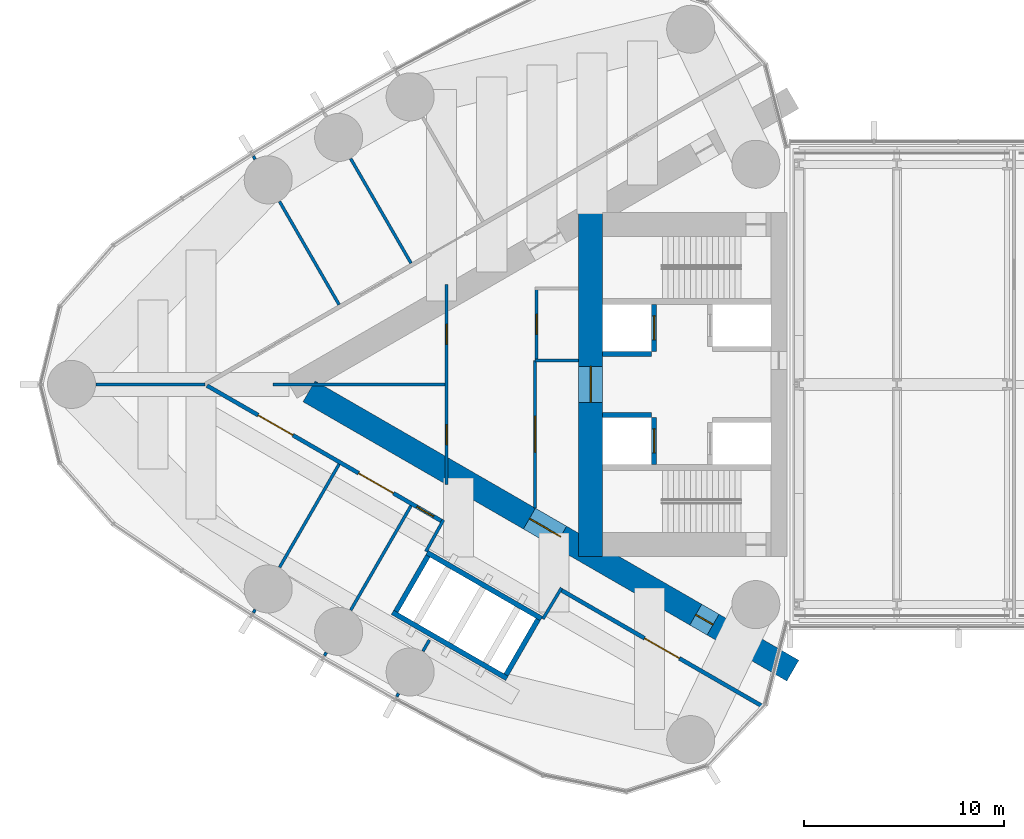
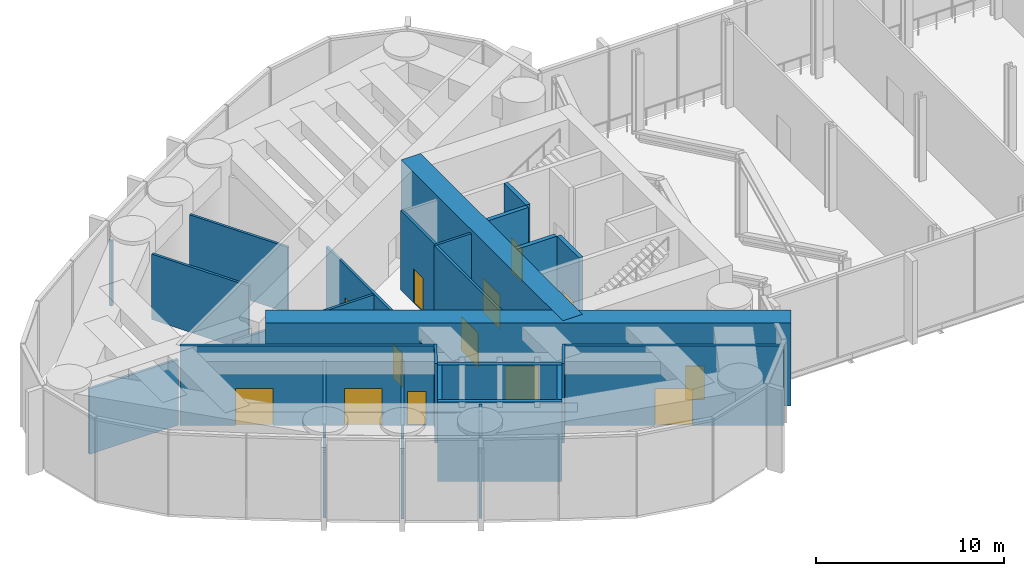
# One storey, part 15 of 21: 29 walls, 13 doors, 13 openings.
"""IFC4 building model written with IfcOpenShell, lengths in metres."""

from ifc_helpers import new_model, si_unit, direction, frame, frame_2d, origin, place, context, subcontext, project, spatial, rectangle, extrude, material, layer, layer_set, type_object, element, fill, save


model = new_model("IFC4")

# Units and contexts
model_context = context("Model", 3, precision=1e-05, world=origin(), true_north=direction((0.0, 1.0)))
body_context = subcontext(model_context, "Body", "Model", "MODEL_VIEW")
ifc_project = project(units=[si_unit("LENGTHUNIT", "METRE"), si_unit("AREAUNIT", "SQUARE_METRE"), si_unit("VOLUMEUNIT", "CUBIC_METRE"), si_unit("PLANEANGLEUNIT", "RADIAN"), si_unit("MASSUNIT", "GRAM", prefix="KILO")], contexts=[model_context])

# Site, building, storey
site_placement = place(None, origin())
site = spatial("IfcSite", under=ifc_project, at=site_placement, CompositionType="ELEMENT")
building_placement = place(site_placement, origin())
building = spatial("IfcBuilding", under=site, at=building_placement, Name="Lancet Gate Hotel", CompositionType="ELEMENT")
storey_placement = place(building_placement, frame((0.0, 0.0, 251.89990234375)))
storey = spatial("IfcBuildingStorey", under=building, at=storey_placement, Name="L67", CompositionType="ELEMENT", Elevation=251.89990234375)

# Wall, openings, doors
ifc_material_1 = material(Name="Concrete C70/85", Category="concrete")
ifc_layer_1 = layer(ifc_material_1, 1.199951171875)
ifc_layer_set_1 = layer_set([ifc_layer_1], Name="Buttress wall 1200")
wall_type_1 = type_object("IfcWallType", Name="Buttress wall 1200", PredefinedType="SHEAR", material=ifc_layer_set_1)
wall_1_placement = place(storey_placement, frame((-27.199951171875, -14.300048828125, 0.0), z_axis=(0.0, 0.0, 1.0), x_axis=(-0.866024021859, 0.500002393557, 0.0)))
wall_1 = element("IfcWall", 1, at=wall_1_placement, inside=storey, type_object=wall_type_1, Name="T1 buttress wall N L67", PredefinedType="SHEAR", context=body_context, shape_type="SweptSolid", body=[
    extrude(rectangle(XDim=27.906982421875, YDim=1.199951171875, at=frame_2d((13.95361328125, 0.0))), origin(), (0.0, 0.0, 1.0), 5.400146484375),
])
opening_1_placement = place(wall_1_placement, frame((4.60009765625, 0.0, 0.0)))
opening_1 = element("IfcOpeningElement", 2, at=opening_1_placement, cuts=wall_1, Name="Opening T1-L67-LN", PredefinedType="OPENING", context=body_context, shape_type="SweptSolid", body=[
    extrude(rectangle(XDim=1.0, YDim=2.199951171875, at=frame_2d((0.5, 1.10009765625))), frame((0.0, 0.60986328125, 0.0), z_axis=(0.0, -1.0, 0.0), x_axis=(1.0, 0.0, 0.0)), (0.0, 0.0, 1.0), 1.219970703125),
])
opening_2_placement = place(wall_1_placement, frame((13.39453125, 0.0, 0.0)))
opening_2 = element("IfcOpeningElement", 3, at=opening_2_placement, cuts=wall_1, Name="Opening T1-L67-LHN", PredefinedType="OPENING", context=body_context, shape_type="SweptSolid", body=[
    extrude(rectangle(XDim=1.800048828125, YDim=2.199951171875, at=frame_2d((0.89990234375, 1.10009765625))), frame((0.0, 0.60986328125, 0.0), z_axis=(0.0, -1.0, 0.0), x_axis=(1.0, 0.0, 0.0)), (0.0, 0.0, 1.0), 1.219970703125),
])
ifc_material_2 = material(Name="Timber door set", Category="wood")
door_type_1 = type_object("IfcDoorType", Name="Lobby double door 1800", OperationType="DOUBLE_DOOR_SINGLE_SWING", PredefinedType="DOOR", material=ifc_material_2)
door_1_placement = place(opening_2_placement, origin())
door_1 = element("IfcDoor", 4, at=door_1_placement, inside=storey, type_object=door_type_1, Name="T1-L67-LHN", OperationType="DOUBLE_DOOR_SINGLE_SWING", OverallHeight=2.199951171875, OverallWidth=1.800048828125, PredefinedType="DOOR", context=body_context, shape_type="SweptSolid", body=[
    extrude(rectangle(XDim=1.800048828125, YDim=2.199951171875, at=frame_2d((0.89990234375, 1.10009765625))), frame((0.0, 0.02490234375, 0.0), z_axis=(0.0, -1.0, 0.0), x_axis=(1.0, 0.0, 0.0)), (0.0, 0.0, 1.0), 0.050048828125),
])
fill(opening_2, door_1)
ifc_material_3 = material(Name="Timber door set", Category="wood")
door_type_2 = type_object("IfcDoorType", Name="Stair lobby door 1000", OperationType="SINGLE_SWING_LEFT", PredefinedType="DOOR", material=ifc_material_3)
door_2_placement = place(opening_1_placement, origin())
door_2 = element("IfcDoor", 5, at=door_2_placement, inside=storey, type_object=door_type_2, Name="T1-L67-LN", OperationType="SINGLE_SWING_LEFT", OverallHeight=2.199951171875, OverallWidth=1.0, PredefinedType="DOOR", context=body_context, shape_type="SweptSolid", body=[
    extrude(rectangle(XDim=1.0, YDim=2.199951171875, at=frame_2d((0.5, 1.10009765625))), frame((0.0, 0.02490234375, 0.0), z_axis=(0.0, -1.0, 0.0), x_axis=(1.0, 0.0, 0.0)), (0.0, 0.0, 1.0), 0.050048828125),
])
fill(opening_1, door_2)

# Wall, opening, door
ifc_material_4 = material(Name="Concrete C70/85", Category="concrete")
ifc_layer_2 = layer(ifc_material_4, 1.199951171875)
ifc_layer_set_2 = layer_set([ifc_layer_2], Name="Core wall 1200")
wall_type_2 = type_object("IfcWallType", Name="Core wall 1200", PredefinedType="SHEAR", material=ifc_layer_set_2)
wall_2_placement = place(storey_placement, frame((-37.300048828125, 8.60009765625, 0.0), z_axis=(0.0, 0.0, 1.0), x_axis=(0.0, -1.0, 0.0)))
wall_2 = element("IfcWall", 6, at=wall_2_placement, inside=storey, type_object=wall_type_2, Name="T1 core wall back L67", PredefinedType="SHEAR", context=body_context, shape_type="SweptSolid", body=[
    extrude(rectangle(XDim=17.2001953125, YDim=1.199951171875, at=frame_2d((8.60009765625, 0.0))), origin(), (0.0, 0.0, 1.0), 5.400146484375),
])
opening_3_placement = place(wall_2_placement, frame((7.699951171875, 0.0, 0.0)))
opening_3 = element("IfcOpeningElement", 7, at=opening_3_placement, cuts=wall_2, Name="Opening T1-L67-LL", PredefinedType="OPENING", context=body_context, shape_type="SweptSolid", body=[
    extrude(rectangle(XDim=1.800048828125, YDim=2.199951171875, at=frame_2d((0.89990234375, 1.10009765625))), frame((0.0, 0.60986328125, 0.0), z_axis=(0.0, -1.0, 0.0), x_axis=(1.0, 0.0, 0.0)), (0.0, 0.0, 1.0), 1.219970703125),
])
door_3_placement = place(opening_3_placement, origin())
door_3 = element("IfcDoor", 8, at=door_3_placement, inside=storey, type_object=door_type_1, Name="T1-L67-LL", OperationType="DOUBLE_DOOR_SINGLE_SWING", OverallHeight=2.199951171875, OverallWidth=1.800048828125, PredefinedType="DOOR", context=body_context, shape_type="SweptSolid", body=[
    extrude(rectangle(XDim=1.800048828125, YDim=2.199951171875, at=frame_2d((0.89990234375, 1.10009765625))), frame((0.0, 0.02490234375, 0.0), z_axis=(0.0, -1.0, 0.0), x_axis=(1.0, 0.0, 0.0)), (0.0, 0.0, 1.0), 0.050048828125),
])
fill(opening_3, door_3)

ifc_material_5 = material(Name="Gypsum board partition")
ifc_layer_3 = layer(ifc_material_5, 0.199951171875)
ifc_layer_set_3 = layer_set([ifc_layer_3], Name="Corridor wall 200")
wall_type_3 = type_object("IfcWallType", Name="Corridor wall 200", PredefinedType="PARTITIONING", material=ifc_layer_set_3)
wall_3_placement = place(storey_placement, frame((-28.681396484375, -16.1005859375, 0.0), z_axis=(0.0, 0.0, 1.0), x_axis=(-0.866026079773, 0.499998829152, 0.0)))
wall_3 = element("IfcWall", 9, at=wall_3_placement, inside=storey, type_object=wall_type_3, Name="T1 corridor wall 200 L67", PredefinedType="PARTITIONING", context=body_context, shape_type="SweptSolid", body=[
    extrude(rectangle(XDim=11.673828125, YDim=0.199951171875, at=frame_2d((5.8369140625, 0.0))), origin(), (0.0, 0.0, 1.0), 5.150146484375),
])
opening_4_placement = place(wall_3_placement, frame((4.8369140625, 0.0, 0.0)))
opening_4 = element("IfcOpeningElement", 10, at=opening_4_placement, cuts=wall_3, Name="Opening T1-L67-DR08", PredefinedType="OPENING", context=body_context, shape_type="SweptSolid", body=[
    extrude(rectangle(XDim=2.0, YDim=2.39990234375, at=frame_2d((1.0, 1.199951171875))), frame((0.0, 0.10986328125, 0.0), z_axis=(0.0, -1.0, 0.0), x_axis=(1.0, 0.0, 0.0)), (0.0, 0.0, 1.0), 0.219970703125),
])
ifc_material_6 = material(Name="Timber door set", Category="wood")
door_type_3 = type_object("IfcDoorType", Name="Plant room double door 2000", OperationType="DOUBLE_DOOR_SINGLE_SWING", PredefinedType="DOOR", material=ifc_material_6)
door_4_placement = place(opening_4_placement, origin())
door_4 = element("IfcDoor", 11, at=door_4_placement, inside=storey, type_object=door_type_3, Name="T1-L67-DR08", OperationType="DOUBLE_DOOR_SINGLE_SWING", OverallHeight=2.39990234375, OverallWidth=2.0, PredefinedType="DOOR", context=body_context, shape_type="SweptSolid", body=[
    extrude(rectangle(XDim=2.0, YDim=2.39990234375, at=frame_2d((1.0, 1.199951171875))), frame((0.0, 0.02490234375, 0.0), z_axis=(0.0, -1.0, 0.0), x_axis=(1.0, 0.0, 0.0)), (0.0, 0.0, 1.0), 0.050048828125),
])
fill(opening_4, door_4)

# Wall, openings, doors
wall_4_placement = place(storey_placement, frame((-44.715087890625, -6.843505859375, 0.0), z_axis=(0.0, 0.0, 1.0), x_axis=(-0.866025261224, 0.500000246922, 0.0)))
wall_4 = element("IfcWall", 12, at=wall_4_placement, inside=storey, type_object=wall_type_3, Name="T1 corridor wall 200 L67", PredefinedType="PARTITIONING", context=body_context, shape_type="SweptSolid", body=[
    extrude(rectangle(XDim=13.56689453125, YDim=0.199951171875, at=frame_2d((6.783447265625, 0.0))), origin(), (0.0, 0.0, 1.0), 5.150146484375),
])
opening_5_placement = place(wall_4_placement, frame((8.6162109375, 0.0, 0.0)))
opening_5 = element("IfcOpeningElement", 13, at=opening_5_placement, cuts=wall_4, Name="Opening T1-L67-DR05", PredefinedType="OPENING", context=body_context, shape_type="SweptSolid", body=[
    extrude(rectangle(XDim=2.0, YDim=2.39990234375, at=frame_2d((1.0, 1.199951171875))), frame((0.0, 0.10986328125, 0.0), z_axis=(0.0, -1.0, 0.0), x_axis=(1.0, 0.0, 0.0)), (0.0, 0.0, 1.0), 0.219970703125),
])
opening_6_placement = place(wall_4_placement, frame((2.816162109375, 0.0, 0.0)))
opening_6 = element("IfcOpeningElement", 14, at=opening_6_placement, cuts=wall_4, Name="Opening T1-L67-DR06", PredefinedType="OPENING", context=body_context, shape_type="SweptSolid", body=[
    extrude(rectangle(XDim=2.0, YDim=2.39990234375, at=frame_2d((1.0, 1.199951171875))), frame((0.0, 0.10986328125, 0.0), z_axis=(0.0, -1.0, 0.0), x_axis=(1.0, 0.0, 0.0)), (0.0, 0.0, 1.0), 0.219970703125),
])
opening_7_placement = place(wall_4_placement, frame((0.5, 0.0, 0.0)))
opening_7 = element("IfcOpeningElement", 15, at=opening_7_placement, cuts=wall_4, Name="Opening T1-L67-DR07", PredefinedType="OPENING", context=body_context, shape_type="SweptSolid", body=[
    extrude(rectangle(XDim=0.967041015625, YDim=2.199951171875, at=frame_2d((0.4833984375, 1.10009765625))), frame((0.0, 0.10986328125, 0.0), z_axis=(0.0, -1.0, 0.0), x_axis=(1.0, 0.0, 0.0)), (0.0, 0.0, 1.0), 0.219970703125),
])
ifc_material_7 = material(Name="Timber door set", Category="wood")
door_type_4 = type_object("IfcDoorType", Name="Guest room entry door 950", OperationType="SINGLE_SWING_LEFT", PredefinedType="DOOR", material=ifc_material_7)
door_5_placement = place(opening_7_placement, origin())
door_5 = element("IfcDoor", 16, at=door_5_placement, inside=storey, type_object=door_type_4, Name="T1-L67-DR07", OperationType="SINGLE_SWING_LEFT", OverallHeight=2.199951171875, OverallWidth=0.967041015625, PredefinedType="DOOR", context=body_context, shape_type="SweptSolid", body=[
    extrude(rectangle(XDim=0.967041015625, YDim=2.199951171875, at=frame_2d((0.4833984375, 1.10009765625))), frame((0.0, 0.02490234375, 0.0), z_axis=(0.0, -1.0, 0.0), x_axis=(1.0, 0.0, 0.0)), (0.0, 0.0, 1.0), 0.050048828125),
])
fill(opening_7, door_5)
door_6_placement = place(opening_5_placement, origin())
door_6 = element("IfcDoor", 17, at=door_6_placement, inside=storey, type_object=door_type_3, Name="T1-L67-DR05", OperationType="DOUBLE_DOOR_SINGLE_SWING", OverallHeight=2.39990234375, OverallWidth=2.0, PredefinedType="DOOR", context=body_context, shape_type="SweptSolid", body=[
    extrude(rectangle(XDim=2.0, YDim=2.39990234375, at=frame_2d((1.0, 1.199951171875))), frame((0.0, 0.02490234375, 0.0), z_axis=(0.0, -1.0, 0.0), x_axis=(1.0, 0.0, 0.0)), (0.0, 0.0, 1.0), 0.050048828125),
])
fill(opening_5, door_6)
door_7_placement = place(opening_6_placement, origin())
door_7 = element("IfcDoor", 18, at=door_7_placement, inside=storey, type_object=door_type_3, Name="T1-L67-DR06", OperationType="DOUBLE_DOOR_SINGLE_SWING", OverallHeight=2.39990234375, OverallWidth=2.0, PredefinedType="DOOR", context=body_context, shape_type="SweptSolid", body=[
    extrude(rectangle(XDim=2.0, YDim=2.39990234375, at=frame_2d((1.0, 1.199951171875))), frame((0.0, 0.02490234375, 0.0), z_axis=(0.0, -1.0, 0.0), x_axis=(1.0, 0.0, 0.0)), (0.0, 0.0, 1.0), 0.050048828125),
])
fill(opening_6, door_7)

# Walls
ifc_material_8 = material(Name="Gypsum board partition")
ifc_layer_4 = layer(ifc_material_8, 0.25)
ifc_layer_set_4 = layer_set([ifc_layer_4], Name="Lift shaft partition 250")
wall_type_4 = type_object("IfcWallType", Name="Lift shaft partition 250", PredefinedType="PARTITIONING", material=ifc_layer_set_4)
wall_5_placement = place(storey_placement, frame((-39.757568359375, -11.697265625, 0.0), z_axis=(0.0, 0.0, 1.0), x_axis=(-0.866024194504, 0.500002094529, 0.0)))
element("IfcWall", 19, at=wall_5_placement, inside=storey, type_object=wall_type_4, Name="T1 lift shaft wall HL L67", PredefinedType="PARTITIONING", context=body_context, shape_type="SweptSolid", body=[
    extrude(rectangle(XDim=6.60009765625, YDim=0.25, at=frame_2d((3.300048828125, 0.0))), origin(), (0.0, 0.0, 1.0), 5.150146484375),
])
wall_6_placement = place(storey_placement, frame((-41.482421875, -14.685791015625, 0.0), z_axis=(0.0, 0.0, 1.0), x_axis=(-0.86603344179, 0.499986077507, 0.0)))
element("IfcWall", 20, at=wall_6_placement, inside=storey, type_object=wall_type_4, Name="T1 lift shaft wall HL L67", PredefinedType="PARTITIONING", context=body_context, shape_type="SweptSolid", body=[
    extrude(rectangle(XDim=6.600341796875, YDim=0.25, at=frame_2d((3.30029296875, 0.0))), origin(), (0.0, 0.0, 1.0), 5.150146484375),
])
for number, where, z_axis, x_axis, name in (
    (21, (-39.92822265625, -11.742919921875, 0.0), (0.0, 0.0, 1.0), (-0.499929347863, -0.866066190972, 0.0), "T1 lift shaft wall HL L67"),
    (22, (-45.427734375, -8.568115234375, 0.0), (0.0, 0.0, 1.0), (-0.499929347863, -0.866066190972, 0.0), "T1 lift shaft wall HL L67"),
):
    element("IfcWall", number, at=place(storey_placement, frame(where, z_axis=z_axis, x_axis=x_axis)), inside=storey, type_object=wall_type_4, Name=name, PredefinedType="PARTITIONING", context=body_context, shape_type="SweptSolid", body=[
        extrude(rectangle(XDim=3.20068359375, YDim=0.25, at=frame_2d((1.600341796875, 0.0))), origin(), (0.0, 0.0, 1.0), 5.150146484375),
    ])

# Wall, opening, door
ifc_material_9 = material(Name="Concrete C50/60", Category="concrete")
ifc_layer_5 = layer(ifc_material_9, 0.25)
ifc_layer_set_5 = layer_set([ifc_layer_5], Name="Lift shaft wall 250")
wall_type_5 = type_object("IfcWallType", Name="Lift shaft wall 250", PredefinedType="SHEAR", material=ifc_layer_set_5)
wall_7_placement = place(storey_placement, frame((-34.125, 4.0, 0.0), z_axis=(0.0, 0.0, 1.0), x_axis=(0.0, -1.0, 0.0)))
wall_7 = element("IfcWall", 23, at=wall_7_placement, inside=storey, type_object=wall_type_5, Name="T1 core wall row2-S L67", PredefinedType="SHEAR", context=body_context, shape_type="SweptSolid", body=[
    extrude(rectangle(XDim=2.35009765625, YDim=0.25, at=frame_2d((1.175048828125, 0.0))), origin(), (0.0, 0.0, 1.0), 5.400146484375),
])
opening_8_placement = place(wall_7_placement, frame((0.574951171875, 0.0, 0.0)))
opening_8 = element("IfcOpeningElement", 24, at=opening_8_placement, cuts=wall_7, Name="Opening T1-OL3-L67", PredefinedType="OPENING", context=body_context, shape_type="SweptSolid", body=[
    extrude(rectangle(XDim=1.199951171875, YDim=2.199951171875, at=frame_2d((0.60009765625, 1.10009765625))), frame((0.0, 0.135009765625, 0.0), z_axis=(0.0, -1.0, 0.0), x_axis=(1.0, 0.0, 0.0)), (0.0, 0.0, 1.0), 0.27001953125),
])
ifc_material_10 = material(Name="Timber door set", Category="wood")
door_type_5 = type_object("IfcDoorType", Name="Shuttle lift landing door 1200", OperationType="DOUBLE_DOOR_SLIDING", PredefinedType="USERDEFINED", material=ifc_material_10)
door_8_placement = place(opening_8_placement, origin())
door_8 = element("IfcDoor", 25, at=door_8_placement, inside=storey, type_object=door_type_5, Name="T1-OL3-L67", ObjectType="LIFT LANDING DOOR", OperationType="DOUBLE_DOOR_SLIDING", OverallHeight=2.199951171875, OverallWidth=1.199951171875, PredefinedType="USERDEFINED", context=body_context, shape_type="SweptSolid", body=[
    extrude(rectangle(XDim=1.199951171875, YDim=2.199951171875, at=frame_2d((0.60009765625, 1.10009765625))), frame((0.0, 0.02490234375, 0.0), z_axis=(0.0, -1.0, 0.0), x_axis=(1.0, 0.0, 0.0)), (0.0, 0.0, 1.0), 0.050048828125),
])
fill(opening_8, door_8)

# Wall
wall_8_placement = place(storey_placement, frame((-34.25, 1.52490234375, 0.0), z_axis=(0.0, 0.0, 1.0), x_axis=(-1.0, 0.0, 0.0)))
element("IfcWall", 26, at=wall_8_placement, inside=storey, type_object=wall_type_5, Name="T1 core wall pass2-S L67", PredefinedType="SHEAR", context=body_context, shape_type="SweptSolid", body=[
    extrude(rectangle(XDim=2.449951171875, YDim=0.25, at=frame_2d((1.22509765625, 0.0))), origin(), (0.0, 0.0, 1.0), 5.400146484375),
])

# Wall, opening, door
wall_9_placement = place(storey_placement, frame((-34.125, -1.64990234375, 0.0), z_axis=(0.0, 0.0, 1.0), x_axis=(0.0, -1.0, 0.0)))
wall_9 = element("IfcWall", 27, at=wall_9_placement, inside=storey, type_object=wall_type_5, Name="T1 core wall row2-N L67", PredefinedType="SHEAR", context=body_context, shape_type="SweptSolid", body=[
    extrude(rectangle(XDim=2.35009765625, YDim=0.25, at=frame_2d((1.175048828125, 0.0))), origin(), (0.0, 0.0, 1.0), 5.400146484375),
])
opening_9_placement = place(wall_9_placement, frame((0.574951171875, 0.0, 0.0)))
opening_9 = element("IfcOpeningElement", 28, at=opening_9_placement, cuts=wall_9, Name="Opening T1-OL4-L67", PredefinedType="OPENING", context=body_context, shape_type="SweptSolid", body=[
    extrude(rectangle(XDim=1.199951171875, YDim=2.199951171875, at=frame_2d((0.60009765625, 1.10009765625))), frame((0.0, 0.135009765625, 0.0), z_axis=(0.0, -1.0, 0.0), x_axis=(1.0, 0.0, 0.0)), (0.0, 0.0, 1.0), 0.27001953125),
])
door_9_placement = place(opening_9_placement, origin())
door_9 = element("IfcDoor", 29, at=door_9_placement, inside=storey, type_object=door_type_5, Name="T1-OL4-L67", ObjectType="LIFT LANDING DOOR", OperationType="DOUBLE_DOOR_SLIDING", OverallHeight=2.199951171875, OverallWidth=1.199951171875, PredefinedType="USERDEFINED", context=body_context, shape_type="SweptSolid", body=[
    extrude(rectangle(XDim=1.199951171875, YDim=2.199951171875, at=frame_2d((0.60009765625, 1.10009765625))), frame((0.0, 0.02490234375, 0.0), z_axis=(0.0, -1.0, 0.0), x_axis=(1.0, 0.0, 0.0)), (0.0, 0.0, 1.0), 0.050048828125),
])
fill(opening_9, door_9)

# Walls
wall_10_placement = place(storey_placement, frame((-34.25, -1.52490234375, 0.0), z_axis=(0.0, 0.0, 1.0), x_axis=(-1.0, 0.0, 0.0)))
element("IfcWall", 30, at=wall_10_placement, inside=storey, type_object=wall_type_5, Name="T1 core wall pass2-N L67", PredefinedType="SHEAR", context=body_context, shape_type="SweptSolid", body=[
    extrude(rectangle(XDim=2.449951171875, YDim=0.25, at=frame_2d((1.22509765625, 0.0))), origin(), (0.0, 0.0, 1.0), 5.400146484375),
])
ifc_material_11 = material(Name="Gypsum board partition")
ifc_layer_6 = layer(ifc_material_11, 0.14990234375)
ifc_layer_set_6 = layer_set([ifc_layer_6], Name="Party wall 150")
wall_type_6 = type_object("IfcWallType", Name="Party wall 150", PredefinedType="PARTITIONING", material=ifc_layer_set_6)
wall_11_placement = place(storey_placement, frame((-46.273681640625, 6.05908203125, 0.0), z_axis=(0.0, 0.0, 1.0), x_axis=(-0.500020471368, 0.866013584312, 0.0)))
element("IfcWall", 31, at=wall_11_placement, inside=storey, type_object=wall_type_6, Name="T1 party wall 150 L67", PredefinedType="PARTITIONING", context=body_context, shape_type="SweptSolid", body=[
    extrude(rectangle(XDim=6.027587890625, YDim=0.14990234375, at=frame_2d((3.013671875, 0.0))), origin(), (0.0, 0.0, 1.0), 4.25),
])
wall_12_placement = place(storey_placement, frame((-49.866455078125, 3.98486328125, 0.0), z_axis=(0.0, 0.0, 1.0), x_axis=(-0.500000694566, 0.866025002776, 0.0)))
element("IfcWall", 32, at=wall_12_placement, inside=storey, type_object=wall_type_6, Name="T1 party wall 150 L67", PredefinedType="PARTITIONING", context=body_context, shape_type="SweptSolid", body=[
    extrude(rectangle(XDim=5.94970703125, YDim=0.14990234375, at=frame_2d((2.974853515625, 0.0))), origin(), (0.0, 0.0, 1.0), 4.25),
])
wall_13_placement = place(storey_placement, frame((-54.061279296875, 11.25048828125, 0.0), z_axis=(0.0, 0.0, 1.0), x_axis=(-0.500391173478, 0.865799441849, 0.0)))
element("IfcWall", 33, at=wall_13_placement, inside=storey, type_object=wall_type_6, Name="T1 party wall 150 L67", PredefinedType="PARTITIONING", context=body_context, shape_type="SweptSolid", body=[
    extrude(rectangle(XDim=0.178955078125, YDim=0.14990234375, at=frame_2d((0.08935546875, 0.0))), origin(), (0.0, 0.0, 1.0), 4.25),
])
wall_14_placement = place(storey_placement, frame((-46.89794921875, -15.438720703125, 0.0), z_axis=(0.0, 0.0, 1.0), x_axis=(-0.500232303069, -0.865891241997, 0.0)))
element("IfcWall", 34, at=wall_14_placement, inside=storey, type_object=wall_type_6, Name="T1 party wall 150 L67", PredefinedType="PARTITIONING", context=body_context, shape_type="SweptSolid", body=[
    extrude(rectangle(XDim=0.1796875, YDim=0.14990234375, at=frame_2d((0.08984375, 0.0))), origin(), (0.0, 0.0, 1.0), 4.25),
])
wall_15_placement = place(storey_placement, frame((-46.273681640625, -6.05908203125, 0.0), z_axis=(0.0, 0.0, 1.0), x_axis=(-0.500020471368, -0.866013584312, 0.0)))
element("IfcWall", 35, at=wall_15_placement, inside=storey, type_object=wall_type_6, Name="T1 party wall 150 L67", PredefinedType="PARTITIONING", context=body_context, shape_type="SweptSolid", body=[
    extrude(rectangle(XDim=6.027587890625, YDim=0.14990234375, at=frame_2d((3.013671875, 0.0))), origin(), (0.0, 0.0, 1.0), 4.25),
])
wall_16_placement = place(storey_placement, frame((-50.507568359375, -13.392333984375, 0.0), z_axis=(0.0, 0.0, 1.0), x_axis=(-0.499644091975, -0.866230789891, 0.0)))
element("IfcWall", 36, at=wall_16_placement, inside=storey, type_object=wall_type_6, Name="T1 party wall 150 L67", PredefinedType="PARTITIONING", context=body_context, shape_type="SweptSolid", body=[
    extrude(rectangle(XDim=0.179931640625, YDim=0.14990234375, at=frame_2d((0.08984375, 0.0))), origin(), (0.0, 0.0, 1.0), 4.25),
])
wall_17_placement = place(storey_placement, frame((-49.866455078125, -3.98486328125, 0.0), z_axis=(0.0, 0.0, 1.0), x_axis=(-0.500000694566, -0.866025002776, 0.0)))
element("IfcWall", 37, at=wall_17_placement, inside=storey, type_object=wall_type_6, Name="T1 party wall 150 L67", PredefinedType="PARTITIONING", context=body_context, shape_type="SweptSolid", body=[
    extrude(rectangle(XDim=5.94970703125, YDim=0.14990234375, at=frame_2d((2.974853515625, 0.0))), origin(), (0.0, 0.0, 1.0), 4.25),
])
wall_18_placement = place(storey_placement, frame((-54.061279296875, -11.25048828125, 0.0), z_axis=(0.0, 0.0, 1.0), x_axis=(-0.500391173478, -0.865799441849, 0.0)))
element("IfcWall", 38, at=wall_18_placement, inside=storey, type_object=wall_type_6, Name="T1 party wall 150 L67", PredefinedType="PARTITIONING", context=body_context, shape_type="SweptSolid", body=[
    extrude(rectangle(XDim=0.178955078125, YDim=0.14990234375, at=frame_2d((0.08935546875, 0.0))), origin(), (0.0, 0.0, 1.0), 4.25),
])
wall_19_placement = place(storey_placement, frame((-56.568359375, 0.0, 0.0), z_axis=(0.0, 0.0, 1.0), x_axis=(-1.0, 0.0, 0.0)))
element("IfcWall", 39, at=wall_19_placement, inside=storey, type_object=wall_type_6, Name="T1 party wall 150 L67", PredefinedType="PARTITIONING", context=body_context, shape_type="SweptSolid", body=[
    extrude(rectangle(XDim=5.446044921875, YDim=0.14990234375, at=frame_2d((2.72314453125, 0.0))), origin(), (0.0, 0.0, 1.0), 4.25),
])
wall_20_placement = place(storey_placement, frame((-45.355712890625, -12.767333984375, 0.0), z_axis=(0.0, 0.0, 1.0), x_axis=(-0.499886366516, -0.866091000168, 0.0)))
element("IfcWall", 40, at=wall_20_placement, inside=storey, type_object=wall_type_6, Name="T1 party wall 150 L67", PredefinedType="PARTITIONING", context=body_context, shape_type="SweptSolid", body=[
    extrude(rectangle(XDim=0.644775390625, YDim=0.14990234375, at=frame_2d((0.322265625, 0.0))), origin(), (0.0, 0.0, 1.0), 5.150146484375),
])
ifc_material_12 = material(Name="Gypsum board partition")
ifc_layer_7 = layer(ifc_material_12, 0.14990234375)
ifc_layer_set_7 = layer_set([ifc_layer_7], Name="Service room wall 150")
wall_type_7 = type_object("IfcWallType", Name="Service room wall 150", PredefinedType="PARTITIONING", material=ifc_layer_set_7)
for number, where, z_axis, x_axis, name in (
    (41, (-44.652099609375, -6.764404296875, 0.0), (0.0, 0.0, 1.0), (-0.485528096672, -0.8742210632, 0.0), "T1 service room wall 150 L67"),
    (42, (-39.6826171875, -11.717529296875, 0.0), (0.0, 0.0, 1.0), (0.514336634837, 0.857588377991, 0.0), "T1 service room wall 150 L67"),
):
    element("IfcWall", number, at=place(storey_placement, frame(where, z_axis=z_axis, x_axis=x_axis)), inside=storey, type_object=wall_type_7, Name=name, PredefinedType="PARTITIONING", context=body_context, shape_type="SweptSolid", body=[
        extrude(rectangle(XDim=1.80517578125, YDim=0.14990234375, at=frame_2d((0.902587890625, 0.0))), origin(), (0.0, 0.0, 1.0), 5.150146484375),
    ])
wall_21_placement = place(storey_placement, frame((-37.89990234375, 1.199951171875, 0.0), z_axis=(0.0, 0.0, 1.0), x_axis=(-1.0, 0.0, 0.0)))
element("IfcWall", 43, at=wall_21_placement, inside=storey, type_object=wall_type_7, Name="T1 service room wall 150 L67", PredefinedType="PARTITIONING", context=body_context, shape_type="SweptSolid", body=[
    extrude(rectangle(XDim=2.175048828125, YDim=0.14990234375, at=frame_2d((1.08740234375, 0.0))), origin(), (0.0, 0.0, 1.0), 5.150146484375),
])

# Wall, opening, door
wall_22_placement = place(storey_placement, frame((-40.0, 4.875, 0.0), z_axis=(0.0, 0.0, 1.0), x_axis=(0.0, -1.0, 0.0)))
wall_22 = element("IfcWall", 44, at=wall_22_placement, inside=storey, type_object=wall_type_7, Name="T1 service room wall 150 L67", PredefinedType="PARTITIONING", context=body_context, shape_type="SweptSolid", body=[
    extrude(rectangle(XDim=3.75, YDim=0.14990234375, at=frame_2d((1.875, 0.0))), origin(), (0.0, 0.0, 1.0), 5.150146484375),
])
opening_10_placement = place(wall_22_placement, frame((1.375, 0.0, 0.0)))
opening_10 = element("IfcOpeningElement", 45, at=opening_10_placement, cuts=wall_22, Name="Opening T1-L67-HRS0", PredefinedType="OPENING", context=body_context, shape_type="SweptSolid", body=[
    extrude(rectangle(XDim=1.0, YDim=2.199951171875, at=frame_2d((0.5, 1.10009765625))), frame((0.0, 0.0849609375, 0.0), z_axis=(0.0, -1.0, 0.0), x_axis=(1.0, 0.0, 0.0)), (0.0, 0.0, 1.0), 0.169921875),
])
ifc_material_13 = material(Name="Timber door set", Category="wood")
door_type_6 = type_object("IfcDoorType", Name="Service door 1000", OperationType="SINGLE_SWING_LEFT", PredefinedType="DOOR", material=ifc_material_13)
door_10_placement = place(opening_10_placement, origin())
door_10 = element("IfcDoor", 46, at=door_10_placement, inside=storey, type_object=door_type_6, Name="T1-L67-HRS0", OperationType="SINGLE_SWING_LEFT", OverallHeight=2.199951171875, OverallWidth=1.0, PredefinedType="DOOR", context=body_context, shape_type="SweptSolid", body=[
    extrude(rectangle(XDim=1.0, YDim=2.199951171875, at=frame_2d((0.5, 1.10009765625))), frame((0.0, 0.02490234375, 0.0), z_axis=(0.0, -1.0, 0.0), x_axis=(1.0, 0.0, 0.0)), (0.0, 0.0, 1.0), 0.050048828125),
])
fill(opening_10, door_10)

wall_23_placement = place(storey_placement, frame((-40.074951171875, 1.199951171875, 0.0), z_axis=(0.0, 0.0, 1.0), x_axis=(0.0, -1.0, 0.0)))
wall_23 = element("IfcWall", 47, at=wall_23_placement, inside=storey, type_object=wall_type_7, Name="T1 service room wall 150 L67", PredefinedType="PARTITIONING", context=body_context, shape_type="SweptSolid", body=[
    extrude(rectangle(XDim=7.373779296875, YDim=0.14990234375, at=frame_2d((3.68701171875, 0.0))), origin(), (0.0, 0.0, 1.0), 5.150146484375),
])
opening_11_placement = place(wall_23_placement, frame((2.786865234375, 0.0, 0.0)))
opening_11 = element("IfcOpeningElement", 48, at=opening_11_placement, cuts=wall_23, Name="Opening T1-L67-LH", PredefinedType="OPENING", context=body_context, shape_type="SweptSolid", body=[
    extrude(rectangle(XDim=1.800048828125, YDim=2.199951171875, at=frame_2d((0.89990234375, 1.10009765625))), frame((0.0, 0.0849609375, 0.0), z_axis=(0.0, -1.0, 0.0), x_axis=(1.0, 0.0, 0.0)), (0.0, 0.0, 1.0), 0.169921875),
])
door_11_placement = place(opening_11_placement, origin())
door_11 = element("IfcDoor", 49, at=door_11_placement, inside=storey, type_object=door_type_1, Name="T1-L67-LH", OperationType="DOUBLE_DOOR_SINGLE_SWING", OverallHeight=2.199951171875, OverallWidth=1.800048828125, PredefinedType="DOOR", context=body_context, shape_type="SweptSolid", body=[
    extrude(rectangle(XDim=1.800048828125, YDim=2.199951171875, at=frame_2d((0.89990234375, 1.10009765625))), frame((0.0, 0.02490234375, 0.0), z_axis=(0.0, -1.0, 0.0), x_axis=(1.0, 0.0, 0.0)), (0.0, 0.0, 1.0), 0.050048828125),
])
fill(opening_11, door_11)

# Wall, openings, doors
wall_24_placement = place(storey_placement, frame((-44.5, 5.004638671875, 0.0), z_axis=(0.0, 0.0, 1.0), x_axis=(0.0, -1.0, 0.0)))
wall_24 = element("IfcWall", 50, at=wall_24_placement, inside=storey, type_object=wall_type_7, Name="T1 service room wall 150 L67", PredefinedType="PARTITIONING", context=body_context, shape_type="SweptSolid", body=[
    extrude(rectangle(XDim=10.00927734375, YDim=0.14990234375, at=frame_2d((5.004638671875, 0.0))), origin(), (0.0, 0.0, 1.0), 4.300048828125),
])
opening_12_placement = place(wall_24_placement, frame((2.002197265625, 0.0, 0.0)))
opening_12 = element("IfcOpeningElement", 51, at=opening_12_placement, cuts=wall_24, Name="Opening T1-L67-SV", PredefinedType="OPENING", context=body_context, shape_type="SweptSolid", body=[
    extrude(rectangle(XDim=1.0, YDim=2.199951171875, at=frame_2d((0.5, 1.10009765625))), frame((0.0, 0.0849609375, 0.0), z_axis=(0.0, -1.0, 0.0), x_axis=(1.0, 0.0, 0.0)), (0.0, 0.0, 1.0), 0.169921875),
])
opening_13_placement = place(wall_24_placement, frame((7.0068359375, 0.0, 0.0)))
opening_13 = element("IfcOpeningElement", 52, at=opening_13_placement, cuts=wall_24, Name="Opening T1-L67-SV2", PredefinedType="OPENING", context=body_context, shape_type="SweptSolid", body=[
    extrude(rectangle(XDim=1.0, YDim=2.199951171875, at=frame_2d((0.5, 1.10009765625))), frame((0.0, 0.0849609375, 0.0), z_axis=(0.0, -1.0, 0.0), x_axis=(1.0, 0.0, 0.0)), (0.0, 0.0, 1.0), 0.169921875),
])
door_12_placement = place(opening_12_placement, origin())
door_12 = element("IfcDoor", 53, at=door_12_placement, inside=storey, type_object=door_type_6, Name="T1-L67-SV", OperationType="SINGLE_SWING_LEFT", OverallHeight=2.199951171875, OverallWidth=1.0, PredefinedType="DOOR", context=body_context, shape_type="SweptSolid", body=[
    extrude(rectangle(XDim=1.0, YDim=2.199951171875, at=frame_2d((0.5, 1.10009765625))), frame((0.0, 0.02490234375, 0.0), z_axis=(0.0, -1.0, 0.0), x_axis=(1.0, 0.0, 0.0)), (0.0, 0.0, 1.0), 0.050048828125),
])
fill(opening_12, door_12)
door_13_placement = place(opening_13_placement, origin())
door_13 = element("IfcDoor", 54, at=door_13_placement, inside=storey, type_object=door_type_6, Name="T1-L67-SV2", OperationType="SINGLE_SWING_LEFT", OverallHeight=2.199951171875, OverallWidth=1.0, PredefinedType="DOOR", context=body_context, shape_type="SweptSolid", body=[
    extrude(rectangle(XDim=1.0, YDim=2.199951171875, at=frame_2d((0.5, 1.10009765625))), frame((0.0, 0.02490234375, 0.0), z_axis=(0.0, -1.0, 0.0), x_axis=(1.0, 0.0, 0.0)), (0.0, 0.0, 1.0), 0.050048828125),
])
fill(opening_13, door_13)

# Wall
wall_25_placement = place(storey_placement, frame((-44.574951171875, 0.0, 0.0), z_axis=(0.0, 0.0, 1.0), x_axis=(-1.0, 0.0, 0.0)))
element("IfcWall", 55, at=wall_25_placement, inside=storey, type_object=wall_type_7, Name="T1 service room wall 150 L67", PredefinedType="PARTITIONING", context=body_context, shape_type="SweptSolid", body=[
    extrude(rectangle(XDim=8.59326171875, YDim=0.14990234375, at=frame_2d((4.296630859375, 0.0))), origin(), (0.0, 0.0, 1.0), 4.25),
])

save(model, "model.ifc")
